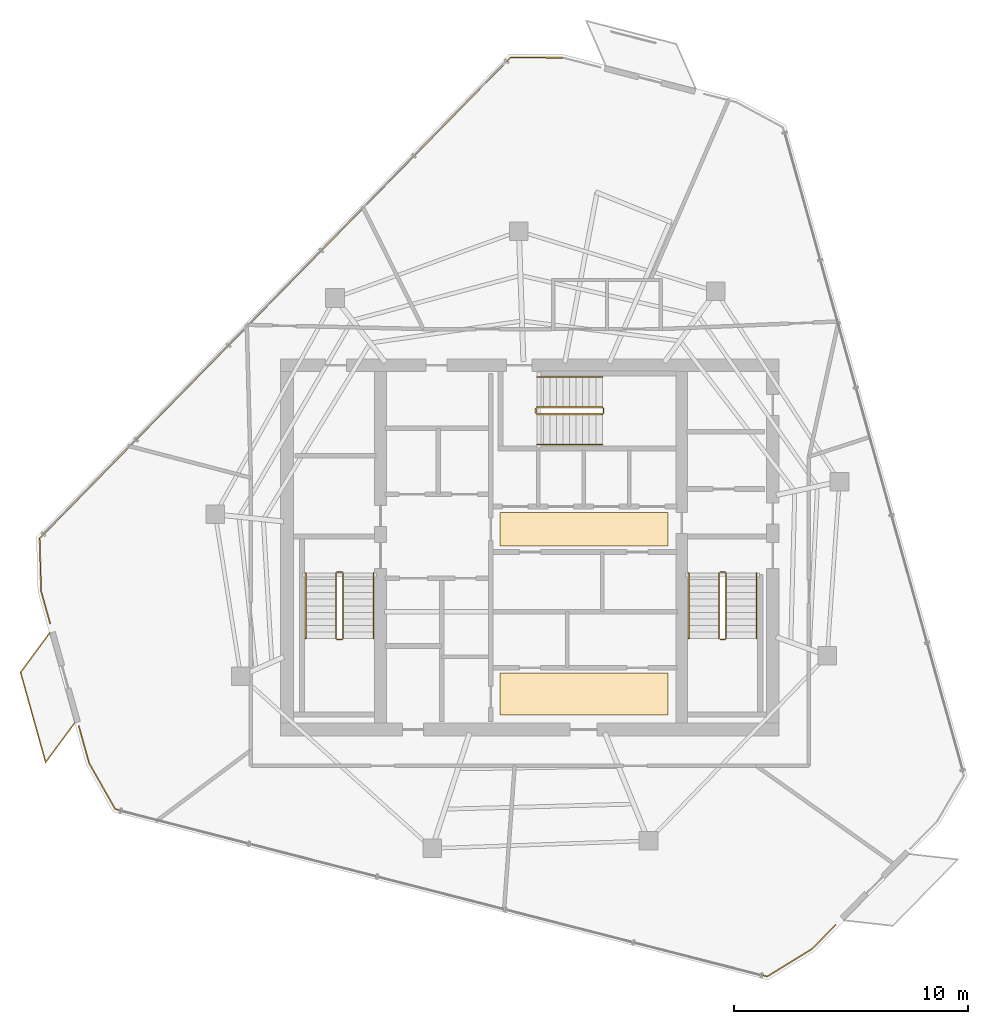
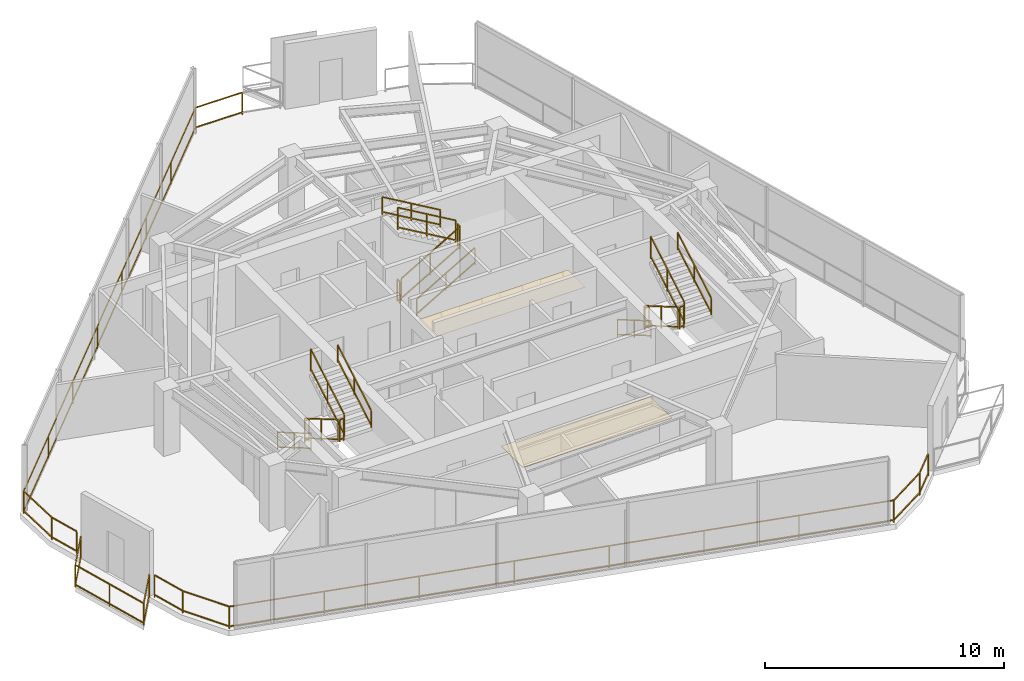
# One storey, part 17 of 18: 21 railings, 2 coverings.
"""IFC4 building model written with IfcOpenShell, lengths in metres."""

from ifc_helpers import new_model, si_unit, direction, frame, origin, origin_2d, place, context, subcontext, project, spatial, rectangle, extrude, material, layer, layer_set, type_object, element, save


model = new_model("IFC4")

# Units and contexts
model_context = context("Model", 3, precision=1e-05, world=origin(), true_north=direction((0.0, 1.0)))
body_context = subcontext(model_context, "Body", "Model", "MODEL_VIEW")
ifc_project = project(units=[si_unit("LENGTHUNIT", "METRE"), si_unit("AREAUNIT", "SQUARE_METRE"), si_unit("VOLUMEUNIT", "CUBIC_METRE"), si_unit("PLANEANGLEUNIT", "RADIAN"), si_unit("MASSUNIT", "GRAM", prefix="KILO")], contexts=[model_context])

# Site, building, storey
site_placement = place(None, origin())
site = spatial("IfcSite", under=ifc_project, at=site_placement, CompositionType="ELEMENT")
building_placement = place(site_placement, origin())
building = spatial("IfcBuilding", under=site, at=building_placement, Name="Qarnah Convention Tower", CompositionType="ELEMENT")
storey_placement = place(building_placement, frame((0.0, 0.0, 239.10009765625)))
storey = spatial("IfcBuildingStorey", under=building, at=storey_placement, Name="L64", CompositionType="ELEMENT", Elevation=239.10009765625)

# Coverings
ifc_material_1 = material(Name="Mineral fibre acoustic ceiling")
ifc_layer_1 = layer(ifc_material_1, 0.02001953125)
ifc_layer_set_1 = layer_set([ifc_layer_1], Name="Mineral fibre acoustic ceiling")
covering_type_1 = type_object("IfcCoveringType", Name="COV-CEIL-20", PredefinedType="CEILING", material=ifc_layer_set_1)
covering_1_placement = place(storey_placement, frame((39.52001953125, 27.179931640625, 2.289794921875), z_axis=(0.0, 0.0, 1.0), x_axis=(1.0, 0.0, 0.0)))
element("IfcCovering", 1, at=covering_1_placement, inside=storey, type_object=covering_type_1, Name="L64 lift lobby acoustic ceiling", PredefinedType="CEILING", context=body_context, shape_type="SweptSolid", body=[
    extrude(rectangle(XDim=7.199951171875, YDim=1.449951171875, at=origin_2d()), origin(), (0.0, 0.0, 1.0), 0.02001953125),
])
ifc_material_2 = material(Name="Porcelain stone floor tile", Category="masonry")
ifc_layer_2 = layer(ifc_material_2, 0.02001953125)
ifc_layer_set_2 = layer_set([ifc_layer_2], Name="Porcelain stone floor tile")
covering_type_2 = type_object("IfcCoveringType", Name="COV-FLOOR-20", PredefinedType="FLOORING", material=ifc_layer_set_2)
covering_2_placement = place(storey_placement, frame((39.52001953125, 20.1201171875, 0.0), z_axis=(0.0, 0.0, 1.0), x_axis=(1.0, 0.0, 0.0)))
element("IfcCovering", 2, at=covering_2_placement, inside=storey, type_object=covering_type_2, Name="L64 lift lobby porcelain stone flooring", PredefinedType="FLOORING", context=body_context, shape_type="SweptSolid", body=[
    extrude(rectangle(XDim=7.199951171875, YDim=1.800048828125, at=origin_2d()), origin(), (0.0, 0.0, 1.0), 0.02001953125),
])

# Railings
ifc_material_3 = material(Name="Black anodised aluminium", Category="aluminium")
railing_type_1 = type_object("IfcRailingType", Name="RL-EXT-GUARD-1150", PredefinedType="GUARDRAIL", material=ifc_material_3)
railing_1_placement = place(storey_placement, frame((50.29296875, 10.240966796875, 0.0)))
element("IfcRailing", 3, at=railing_1_placement, inside=storey, type_object=railing_type_1, Name="L64 slab-edge perimeter safety guard 03", PredefinedType="GUARDRAIL", context=body_context, shape_type="SweptSolid", body=[
    extrude(rectangle(XDim=0.048095703125, YDim=0.048095703125, at=origin_2d()), frame((0.0, 0.0, 1.1259765625), z_axis=(-0.69945017382, -0.714681365605, 0.0), x_axis=(0.714681365605, -0.69945017382, 0.0)), (0.0, 0.0, 1.0), 1.442626953125),
    extrude(rectangle(XDim=0.048095703125, YDim=0.048095703125, at=origin_2d()), frame((0.0, 0.0, 0.1201171875), z_axis=(-0.69945017382, -0.714681365605, 0.0), x_axis=(0.714681365605, -0.69945017382, 0.0)), (0.0, 0.0, 1.0), 1.442626953125),
    extrude(rectangle(XDim=0.048095703125, YDim=0.048095703125, at=origin_2d()), frame((-1.009033203125, -1.031005859375, 1.1259765625), z_axis=(-0.851624884706, -0.524151748781, 0.0), x_axis=(0.524151748781, -0.851624884706, 0.0)), (0.0, 0.0, 1.0), 2.2568359375),
    extrude(rectangle(XDim=0.048095703125, YDim=0.048095703125, at=origin_2d()), frame((-1.009033203125, -1.031005859375, 0.1201171875), z_axis=(-0.851624884706, -0.524151748781, 0.0), x_axis=(0.524151748781, -0.851624884706, 0.0)), (0.0, 0.0, 1.0), 2.2568359375),
    extrude(rectangle(XDim=0.048095703125, YDim=0.048095703125, at=origin_2d()), frame((-2.930908203125, -2.2138671875, 1.1259765625), z_axis=(-0.968576230651, 0.248716878033, 0.0), x_axis=(-0.248716878033, -0.968576230651, 0.0)), (0.0, 0.0, 1.0), 28.82373046875),
    extrude(rectangle(XDim=0.048095703125, YDim=0.048095703125, at=origin_2d()), frame((-2.930908203125, -2.2138671875, 0.1201171875), z_axis=(-0.968576230651, 0.248716878033, 0.0), x_axis=(-0.248716878033, -0.968576230651, 0.0)), (0.0, 0.0, 1.0), 28.82373046875),
    extrude(rectangle(XDim=0.048095703125, YDim=0.048095703125, at=origin_2d()), frame((-30.848876953125, 4.955078125, 1.1259765625), z_axis=(-0.494098625985, 0.869405859079, 0.0), x_axis=(-0.869405859079, -0.494098625985, 0.0)), (0.0, 0.0, 1.0), 2.256591796875),
    extrude(rectangle(XDim=0.048095703125, YDim=0.048095703125, at=origin_2d()), frame((-30.848876953125, 4.955078125, 0.1201171875), z_axis=(-0.494098625985, 0.869405859079, 0.0), x_axis=(-0.869405859079, -0.494098625985, 0.0)), (0.0, 0.0, 1.0), 2.256591796875),
    extrude(rectangle(XDim=0.048095703125, YDim=0.048095703125, at=origin_2d()), frame((-31.9638671875, 6.9169921875, 1.1259765625), z_axis=(-0.268687422621, 0.963227423263, 0.0), x_axis=(-0.963227423263, -0.268687422621, 0.0)), (0.0, 0.0, 1.0), 1.65283203125),
    extrude(rectangle(XDim=0.048095703125, YDim=0.048095703125, at=origin_2d()), frame((-31.9638671875, 6.9169921875, 0.1201171875), z_axis=(-0.268687422621, 0.963227423263, 0.0), x_axis=(-0.963227423263, -0.268687422621, 0.0)), (0.0, 0.0, 1.0), 1.65283203125),
    extrude(rectangle(XDim=0.0419921875, YDim=0.0419921875, at=origin_2d()), origin(), (0.0, 0.0, 1.0), 1.101806640625),
    extrude(rectangle(XDim=0.0419921875, YDim=0.0419921875, at=origin_2d()), frame((-1.009033203125, -1.031005859375, 0.0)), (0.0, 0.0, 1.0), 1.101806640625),
    extrude(rectangle(XDim=0.0419921875, YDim=0.0419921875, at=origin_2d()), frame((-2.930908203125, -2.2138671875, 0.0)), (0.0, 0.0, 1.0), 1.101806640625),
    extrude(rectangle(XDim=0.0419921875, YDim=0.0419921875, at=origin_2d()), frame((-6.919189453125, -1.189697265625, 0.0)), (0.0, 0.0, 1.0), 1.101806640625),
    extrude(rectangle(XDim=0.0419921875, YDim=0.0419921875, at=origin_2d()), frame((-10.907470703125, -0.16552734375, 0.0)), (0.0, 0.0, 1.0), 1.101806640625),
    extrude(rectangle(XDim=0.0419921875, YDim=0.0419921875, at=origin_2d()), frame((-14.895751953125, 0.858642578125, 0.0)), (0.0, 0.0, 1.0), 1.101806640625),
    extrude(rectangle(XDim=0.0419921875, YDim=0.0419921875, at=origin_2d()), frame((-18.884033203125, 1.882568359375, 0.0)), (0.0, 0.0, 1.0), 1.101806640625),
    extrude(rectangle(XDim=0.0419921875, YDim=0.0419921875, at=origin_2d()), frame((-22.872314453125, 2.90673828125, 0.0)), (0.0, 0.0, 1.0), 1.101806640625),
    extrude(rectangle(XDim=0.0419921875, YDim=0.0419921875, at=origin_2d()), frame((-26.860595703125, 3.930908203125, 0.0)), (0.0, 0.0, 1.0), 1.101806640625),
    extrude(rectangle(XDim=0.0419921875, YDim=0.0419921875, at=origin_2d()), frame((-30.848876953125, 4.955078125, 0.0)), (0.0, 0.0, 1.0), 1.101806640625),
    extrude(rectangle(XDim=0.0419921875, YDim=0.0419921875, at=origin_2d()), frame((-31.9638671875, 6.9169921875, 0.0)), (0.0, 0.0, 1.0), 1.101806640625),
    extrude(rectangle(XDim=0.0419921875, YDim=0.0419921875, at=origin_2d()), frame((-32.407958984375, 8.509033203125, 0.0)), (0.0, 0.0, 1.0), 1.101806640625),
])
railing_2_placement = place(storey_placement, frame((16.658935546875, 23.14111328125, 0.0)))
element("IfcRailing", 4, at=railing_2_placement, inside=storey, type_object=railing_type_1, Name="L64 slab-edge perimeter safety guard 04", PredefinedType="GUARDRAIL", context=body_context, shape_type="SweptSolid", body=[
    extrude(rectangle(XDim=0.048095703125, YDim=0.048095703125, at=origin_2d()), frame((0.0, 0.0, 1.1259765625), z_axis=(-0.269190038638, 0.963087079707, 0.0), x_axis=(-0.963087079707, -0.269190038638, 0.0)), (0.0, 0.0, 1.0), 1.441162109375),
    extrude(rectangle(XDim=0.048095703125, YDim=0.048095703125, at=origin_2d()), frame((0.0, 0.0, 0.1201171875), z_axis=(-0.269190038638, 0.963087079707, 0.0), x_axis=(-0.963087079707, -0.269190038638, 0.0)), (0.0, 0.0, 1.0), 1.441162109375),
    extrude(rectangle(XDim=0.048095703125, YDim=0.048095703125, at=origin_2d()), frame((-0.387939453125, 1.387939453125, 1.1259765625), z_axis=(-0.027899131525, 0.99961074347, 0.0), x_axis=(-0.99961074347, -0.027899131525, 0.0)), (0.0, 0.0, 1.0), 2.2578125),
    extrude(rectangle(XDim=0.048095703125, YDim=0.048095703125, at=origin_2d()), frame((-0.387939453125, 1.387939453125, 0.1201171875), z_axis=(-0.027899131525, 0.99961074347, 0.0), x_axis=(-0.99961074347, -0.027899131525, 0.0)), (0.0, 0.0, 1.0), 2.2578125),
    extrude(rectangle(XDim=0.048095703125, YDim=0.048095703125, at=origin_2d()), frame((-0.450927734375, 3.644775390625, 1.1259765625), z_axis=(0.699643621008, 0.714491989866, 0.0), x_axis=(-0.714491989866, 0.699643621008, 0.0)), (0.0, 0.0, 1.0), 28.8232421875),
    extrude(rectangle(XDim=0.048095703125, YDim=0.048095703125, at=origin_2d()), frame((-0.450927734375, 3.644775390625, 0.1201171875), z_axis=(0.699643621008, 0.714491989866, 0.0), x_axis=(-0.714491989866, 0.699643621008, 0.0)), (0.0, 0.0, 1.0), 28.8232421875),
    extrude(rectangle(XDim=0.048095703125, YDim=0.048095703125, at=origin_2d()), frame((19.715087890625, 24.23876953125, 1.1259765625), z_axis=(0.999972173377, -0.007460058381, 0.0), x_axis=(0.007460058381, 0.999972173377, 0.0)), (0.0, 0.0, 1.0), 2.258056640625),
    extrude(rectangle(XDim=0.048095703125, YDim=0.048095703125, at=origin_2d()), frame((19.715087890625, 24.23876953125, 0.1201171875), z_axis=(0.999972173377, -0.007460058381, 0.0), x_axis=(0.007460058381, 0.999972173377, 0.0)), (0.0, 0.0, 1.0), 2.258056640625),
    extrude(rectangle(XDim=0.0419921875, YDim=0.0419921875, at=origin_2d()), origin(), (0.0, 0.0, 1.0), 1.101806640625),
    extrude(rectangle(XDim=0.0419921875, YDim=0.0419921875, at=origin_2d()), frame((-0.387939453125, 1.387939453125, 0.0)), (0.0, 0.0, 1.0), 1.101806640625),
    extrude(rectangle(XDim=0.0419921875, YDim=0.0419921875, at=origin_2d()), frame((-0.450927734375, 3.644775390625, 0.0)), (0.0, 0.0, 1.0), 1.101806640625),
    extrude(rectangle(XDim=0.0419921875, YDim=0.0419921875, at=origin_2d()), frame((2.429931640625, 6.586669921875, 0.0)), (0.0, 0.0, 1.0), 1.101806640625),
    extrude(rectangle(XDim=0.0419921875, YDim=0.0419921875, at=origin_2d()), frame((5.310791015625, 9.52880859375, 0.0)), (0.0, 0.0, 1.0), 1.101806640625),
    extrude(rectangle(XDim=0.0419921875, YDim=0.0419921875, at=origin_2d()), frame((8.191650390625, 12.470703125, 0.0)), (0.0, 0.0, 1.0), 1.101806640625),
    extrude(rectangle(XDim=0.0419921875, YDim=0.0419921875, at=origin_2d()), frame((11.072509765625, 15.412841796875, 0.0)), (0.0, 0.0, 1.0), 1.101806640625),
    extrude(rectangle(XDim=0.0419921875, YDim=0.0419921875, at=origin_2d()), frame((13.953369140625, 18.354736328125, 0.0)), (0.0, 0.0, 1.0), 1.101806640625),
    extrude(rectangle(XDim=0.0419921875, YDim=0.0419921875, at=origin_2d()), frame((16.834228515625, 21.296875, 0.0)), (0.0, 0.0, 1.0), 1.101806640625),
    extrude(rectangle(XDim=0.0419921875, YDim=0.0419921875, at=origin_2d()), frame((19.715087890625, 24.23876953125, 0.0)), (0.0, 0.0, 1.0), 1.101806640625),
    extrude(rectangle(XDim=0.0419921875, YDim=0.0419921875, at=origin_2d()), frame((21.97314453125, 24.221923828125, 0.0)), (0.0, 0.0, 1.0), 1.101806640625),
])
railing_3_placement = place(storey_placement, frame((17.7080078125, 18.881103515625, 0.0)))
element("IfcRailing", 5, at=railing_3_placement, inside=storey, type_object=railing_type_1, Name="L64 balcony safety guard BAL-L64-C2", PredefinedType="GUARDRAIL", context=body_context, shape_type="SweptSolid", body=[
    extrude(rectangle(XDim=0.048095703125, YDim=0.048095703125, at=origin_2d()), frame((0.0, 0.0, 1.1259765625), z_axis=(-0.593600672744, -0.804759741363, 0.0), x_axis=(0.804759741363, -0.593600672744, 0.0)), (0.0, 0.0, 1.0), 2.09375),
    extrude(rectangle(XDim=0.048095703125, YDim=0.048095703125, at=origin_2d()), frame((0.0, 0.0, 0.1201171875), z_axis=(-0.593600672744, -0.804759741363, 0.0), x_axis=(0.804759741363, -0.593600672744, 0.0)), (0.0, 0.0, 1.0), 2.09375),
    extrude(rectangle(XDim=0.048095703125, YDim=0.048095703125, at=origin_2d()), frame((-1.242919921875, -1.68505859375, 1.1259765625), z_axis=(-0.268846383011, 0.963183067927, 0.0), x_axis=(-0.963183067927, -0.268846383011, 0.0)), (0.0, 0.0, 1.0), 3.999267578125),
    extrude(rectangle(XDim=0.048095703125, YDim=0.048095703125, at=origin_2d()), frame((-1.242919921875, -1.68505859375, 0.1201171875), z_axis=(-0.268846383011, 0.963183067927, 0.0), x_axis=(-0.963183067927, -0.268846383011, 0.0)), (0.0, 0.0, 1.0), 3.999267578125),
    extrude(rectangle(XDim=0.048095703125, YDim=0.048095703125, at=origin_2d()), frame((-2.318115234375, 2.1669921875, 1.1259765625), z_axis=(0.593206992057, 0.805049976445, 0.0), x_axis=(-0.805049976445, 0.593206992057, 0.0)), (0.0, 0.0, 1.0), 2.093994140625),
    extrude(rectangle(XDim=0.048095703125, YDim=0.048095703125, at=origin_2d()), frame((-2.318115234375, 2.1669921875, 0.1201171875), z_axis=(0.593206992057, 0.805049976445, 0.0), x_axis=(-0.805049976445, 0.593206992057, 0.0)), (0.0, 0.0, 1.0), 2.093994140625),
    extrude(rectangle(XDim=0.0419921875, YDim=0.0419921875, at=origin_2d()), origin(), (0.0, 0.0, 1.0), 1.101806640625),
    extrude(rectangle(XDim=0.0419921875, YDim=0.0419921875, at=origin_2d()), frame((-1.242919921875, -1.68505859375, 0.0)), (0.0, 0.0, 1.0), 1.101806640625),
    extrude(rectangle(XDim=0.0419921875, YDim=0.0419921875, at=origin_2d()), frame((-1.780517578125, 0.240966796875, 0.0)), (0.0, 0.0, 1.0), 1.101806640625),
    extrude(rectangle(XDim=0.0419921875, YDim=0.0419921875, at=origin_2d()), frame((-2.318115234375, 2.1669921875, 0.0)), (0.0, 0.0, 1.0), 1.101806640625),
    extrude(rectangle(XDim=0.0419921875, YDim=0.0419921875, at=origin_2d()), frame((-1.075927734375, 3.852783203125, 0.0)), (0.0, 0.0, 1.0), 1.101806640625),
])
ifc_material_4 = material(Name="Structural steel S355JR", Category="steel")
railing_type_2 = type_object("IfcRailingType", Name="RL-STAIR-GUARD-1150", PredefinedType="GUARDRAIL", material=ifc_material_4)
railing_4_placement = place(storey_placement, frame((28.89990234375, 25.300048828125, 0.16357421875)))
element("IfcRailing", 6, at=railing_4_placement, inside=storey, type_object=railing_type_2, Name="L64 ST-1 stair guard 1", PredefinedType="GUARDRAIL", context=body_context, shape_type="SweptSolid", body=[
    extrude(rectangle(XDim=0.048095703125, YDim=0.048095703125, at=origin_2d()), frame((0.0, 0.0, 1.1259765625), z_axis=(0.0, -0.863393664356, 0.504530851732), x_axis=(1.0, 0.0, 0.0)), (0.0, 0.0, 1.0), 3.2431640625),
    extrude(rectangle(XDim=0.048095703125, YDim=0.048095703125, at=origin_2d()), frame((0.0, 0.0, 0.1201171875), z_axis=(0.0, -0.863393664356, 0.504530851732), x_axis=(1.0, 0.0, 0.0)), (0.0, 0.0, 1.0), 3.2431640625),
    extrude(rectangle(XDim=0.0419921875, YDim=0.0419921875, at=origin_2d()), origin(), (0.0, 0.0, 1.0), 1.101806640625),
    extrude(rectangle(XDim=0.0419921875, YDim=0.0419921875, at=origin_2d()), frame((0.0, -1.39990234375, 0.818115234375)), (0.0, 0.0, 1.0), 1.101806640625),
    extrude(rectangle(XDim=0.0419921875, YDim=0.0419921875, at=origin_2d()), frame((0.0, -2.800048828125, 1.63623046875)), (0.0, 0.0, 1.0), 1.101806640625),
])
railing_5_placement = place(storey_placement, frame((28.949951171875, 22.449951171875, 1.7998046875)))
element("IfcRailing", 7, at=railing_5_placement, inside=storey, type_object=railing_type_2, Name="L64 ST-1 stair guard 2", PredefinedType="GUARDRAIL", context=body_context, shape_type="SweptSolid", body=[
    extrude(rectangle(XDim=0.048095703125, YDim=0.048095703125, at=origin_2d()), frame((0.0, 0.0, 1.1259765625), z_axis=(1.0, 0.0, 0.0), x_axis=(0.0, 1.0, 0.0)), (0.0, 0.0, 1.0), 0.199951171875),
    extrude(rectangle(XDim=0.048095703125, YDim=0.048095703125, at=origin_2d()), frame((0.0, 0.0, 0.1201171875), z_axis=(1.0, 0.0, 0.0), x_axis=(0.0, 1.0, 0.0)), (0.0, 0.0, 1.0), 0.199951171875),
    extrude(rectangle(XDim=0.0419921875, YDim=0.0419921875, at=origin_2d()), origin(), (0.0, 0.0, 1.0), 1.101806640625),
    extrude(rectangle(XDim=0.0419921875, YDim=0.0419921875, at=origin_2d()), frame((0.199951171875, 0.0, 0.0)), (0.0, 0.0, 1.0), 1.101806640625),
])
railing_6_placement = place(storey_placement, frame((29.199951171875, 22.5, 1.963623046875)))
element("IfcRailing", 8, at=railing_6_placement, inside=storey, type_object=railing_type_2, Name="L64 ST-1 stair guard 3", PredefinedType="GUARDRAIL", context=body_context, shape_type="SweptSolid", body=[
    extrude(rectangle(XDim=0.048095703125, YDim=0.048095703125, at=origin_2d()), frame((0.0, 0.0, 1.1259765625), z_axis=(0.0, 0.863393664356, 0.504530851732), x_axis=(-1.0, 0.0, 0.0)), (0.0, 0.0, 1.0), 3.2431640625),
    extrude(rectangle(XDim=0.048095703125, YDim=0.048095703125, at=origin_2d()), frame((0.0, 0.0, 0.1201171875), z_axis=(0.0, 0.863393664356, 0.504530851732), x_axis=(-1.0, 0.0, 0.0)), (0.0, 0.0, 1.0), 3.2431640625),
    extrude(rectangle(XDim=0.0419921875, YDim=0.0419921875, at=origin_2d()), origin(), (0.0, 0.0, 1.0), 1.101806640625),
    extrude(rectangle(XDim=0.0419921875, YDim=0.0419921875, at=origin_2d()), frame((0.0, 1.39990234375, 0.818115234375)), (0.0, 0.0, 1.0), 1.101806640625),
    extrude(rectangle(XDim=0.0419921875, YDim=0.0419921875, at=origin_2d()), frame((0.0, 2.800048828125, 1.63623046875)), (0.0, 0.0, 1.0), 1.101806640625),
])
railing_7_placement = place(storey_placement, frame((28.949951171875, 25.35009765625, 0.0)))
element("IfcRailing", 9, at=railing_7_placement, inside=storey, type_object=railing_type_2, Name="L64 ST-1 stair guard 4", PredefinedType="GUARDRAIL", context=body_context, shape_type="SweptSolid", body=[
    extrude(rectangle(XDim=0.048095703125, YDim=0.048095703125, at=origin_2d()), frame((0.0, 0.0, 1.1259765625), z_axis=(1.0, 0.0, 0.0), x_axis=(0.0, 1.0, 0.0)), (0.0, 0.0, 1.0), 0.199951171875),
    extrude(rectangle(XDim=0.048095703125, YDim=0.048095703125, at=origin_2d()), frame((0.0, 0.0, 0.1201171875), z_axis=(1.0, 0.0, 0.0), x_axis=(0.0, 1.0, 0.0)), (0.0, 0.0, 1.0), 0.199951171875),
    extrude(rectangle(XDim=0.0419921875, YDim=0.0419921875, at=origin_2d()), origin(), (0.0, 0.0, 1.0), 1.101806640625),
    extrude(rectangle(XDim=0.0419921875, YDim=0.0419921875, at=origin_2d()), frame((0.199951171875, 0.0, 0.0)), (0.0, 0.0, 1.0), 1.101806640625),
])
railing_8_placement = place(storey_placement, frame((45.300048828125, 25.300048828125, 0.16357421875)))
element("IfcRailing", 10, at=railing_8_placement, inside=storey, type_object=railing_type_2, Name="L64 ST-2 stair guard 1", PredefinedType="GUARDRAIL", context=body_context, shape_type="SweptSolid", body=[
    extrude(rectangle(XDim=0.048095703125, YDim=0.048095703125, at=origin_2d()), frame((0.0, 0.0, 1.1259765625), z_axis=(0.0, -0.863393664356, 0.504530851732), x_axis=(1.0, 0.0, 0.0)), (0.0, 0.0, 1.0), 3.2431640625),
    extrude(rectangle(XDim=0.048095703125, YDim=0.048095703125, at=origin_2d()), frame((0.0, 0.0, 0.1201171875), z_axis=(0.0, -0.863393664356, 0.504530851732), x_axis=(1.0, 0.0, 0.0)), (0.0, 0.0, 1.0), 3.2431640625),
    extrude(rectangle(XDim=0.0419921875, YDim=0.0419921875, at=origin_2d()), origin(), (0.0, 0.0, 1.0), 1.101806640625),
    extrude(rectangle(XDim=0.0419921875, YDim=0.0419921875, at=origin_2d()), frame((0.0, -1.39990234375, 0.818115234375)), (0.0, 0.0, 1.0), 1.101806640625),
    extrude(rectangle(XDim=0.0419921875, YDim=0.0419921875, at=origin_2d()), frame((0.0, -2.800048828125, 1.63623046875)), (0.0, 0.0, 1.0), 1.101806640625),
])
railing_9_placement = place(storey_placement, frame((45.35009765625, 22.449951171875, 1.7998046875)))
element("IfcRailing", 11, at=railing_9_placement, inside=storey, type_object=railing_type_2, Name="L64 ST-2 stair guard 2", PredefinedType="GUARDRAIL", context=body_context, shape_type="SweptSolid", body=[
    extrude(rectangle(XDim=0.048095703125, YDim=0.048095703125, at=origin_2d()), frame((0.0, 0.0, 1.1259765625), z_axis=(1.0, 0.0, 0.0), x_axis=(0.0, 1.0, 0.0)), (0.0, 0.0, 1.0), 0.199951171875),
    extrude(rectangle(XDim=0.048095703125, YDim=0.048095703125, at=origin_2d()), frame((0.0, 0.0, 0.1201171875), z_axis=(1.0, 0.0, 0.0), x_axis=(0.0, 1.0, 0.0)), (0.0, 0.0, 1.0), 0.199951171875),
    extrude(rectangle(XDim=0.0419921875, YDim=0.0419921875, at=origin_2d()), origin(), (0.0, 0.0, 1.0), 1.101806640625),
    extrude(rectangle(XDim=0.0419921875, YDim=0.0419921875, at=origin_2d()), frame((0.199951171875, 0.0, 0.0)), (0.0, 0.0, 1.0), 1.101806640625),
])
railing_10_placement = place(storey_placement, frame((45.60009765625, 22.5, 1.963623046875)))
element("IfcRailing", 12, at=railing_10_placement, inside=storey, type_object=railing_type_2, Name="L64 ST-2 stair guard 3", PredefinedType="GUARDRAIL", context=body_context, shape_type="SweptSolid", body=[
    extrude(rectangle(XDim=0.048095703125, YDim=0.048095703125, at=origin_2d()), frame((0.0, 0.0, 1.1259765625), z_axis=(0.0, 0.863393664356, 0.504530851732), x_axis=(-1.0, 0.0, 0.0)), (0.0, 0.0, 1.0), 3.2431640625),
    extrude(rectangle(XDim=0.048095703125, YDim=0.048095703125, at=origin_2d()), frame((0.0, 0.0, 0.1201171875), z_axis=(0.0, 0.863393664356, 0.504530851732), x_axis=(-1.0, 0.0, 0.0)), (0.0, 0.0, 1.0), 3.2431640625),
    extrude(rectangle(XDim=0.0419921875, YDim=0.0419921875, at=origin_2d()), origin(), (0.0, 0.0, 1.0), 1.101806640625),
    extrude(rectangle(XDim=0.0419921875, YDim=0.0419921875, at=origin_2d()), frame((0.0, 1.39990234375, 0.818115234375)), (0.0, 0.0, 1.0), 1.101806640625),
    extrude(rectangle(XDim=0.0419921875, YDim=0.0419921875, at=origin_2d()), frame((0.0, 2.800048828125, 1.63623046875)), (0.0, 0.0, 1.0), 1.101806640625),
])
railing_11_placement = place(storey_placement, frame((45.35009765625, 25.35009765625, 0.0)))
element("IfcRailing", 13, at=railing_11_placement, inside=storey, type_object=railing_type_2, Name="L64 ST-2 stair guard 4", PredefinedType="GUARDRAIL", context=body_context, shape_type="SweptSolid", body=[
    extrude(rectangle(XDim=0.048095703125, YDim=0.048095703125, at=origin_2d()), frame((0.0, 0.0, 1.1259765625), z_axis=(1.0, 0.0, 0.0), x_axis=(0.0, 1.0, 0.0)), (0.0, 0.0, 1.0), 0.199951171875),
    extrude(rectangle(XDim=0.048095703125, YDim=0.048095703125, at=origin_2d()), frame((0.0, 0.0, 0.1201171875), z_axis=(1.0, 0.0, 0.0), x_axis=(0.0, 1.0, 0.0)), (0.0, 0.0, 1.0), 0.199951171875),
    extrude(rectangle(XDim=0.0419921875, YDim=0.0419921875, at=origin_2d()), origin(), (0.0, 0.0, 1.0), 1.101806640625),
    extrude(rectangle(XDim=0.0419921875, YDim=0.0419921875, at=origin_2d()), frame((0.199951171875, 0.0, 0.0)), (0.0, 0.0, 1.0), 1.101806640625),
])
railing_12_placement = place(storey_placement, frame((37.5, 32.10009765625, 0.16357421875)))
element("IfcRailing", 14, at=railing_12_placement, inside=storey, type_object=railing_type_2, Name="L64 ST-3 stair guard 1", PredefinedType="GUARDRAIL", context=body_context, shape_type="SweptSolid", body=[
    extrude(rectangle(XDim=0.048095703125, YDim=0.048095703125, at=origin_2d()), frame((0.0, 0.0, 1.1259765625), z_axis=(0.863393664356, 0.0, 0.504530851732), x_axis=(0.0, 1.0, 0.0)), (0.0, 0.0, 1.0), 3.2431640625),
    extrude(rectangle(XDim=0.048095703125, YDim=0.048095703125, at=origin_2d()), frame((0.0, 0.0, 0.1201171875), z_axis=(0.863393664356, 0.0, 0.504530851732), x_axis=(0.0, 1.0, 0.0)), (0.0, 0.0, 1.0), 3.2431640625),
    extrude(rectangle(XDim=0.0419921875, YDim=0.0419921875, at=origin_2d()), origin(), (0.0, 0.0, 1.0), 1.101806640625),
    extrude(rectangle(XDim=0.0419921875, YDim=0.0419921875, at=origin_2d()), frame((1.39990234375, 0.0, 0.818115234375)), (0.0, 0.0, 1.0), 1.101806640625),
    extrude(rectangle(XDim=0.0419921875, YDim=0.0419921875, at=origin_2d()), frame((2.800048828125, 0.0, 1.63623046875)), (0.0, 0.0, 1.0), 1.101806640625),
])
railing_13_placement = place(storey_placement, frame((40.35009765625, 32.14990234375, 1.7998046875)))
element("IfcRailing", 15, at=railing_13_placement, inside=storey, type_object=railing_type_2, Name="L64 ST-3 stair guard 2", PredefinedType="GUARDRAIL", context=body_context, shape_type="SweptSolid", body=[
    extrude(rectangle(XDim=0.048095703125, YDim=0.048095703125, at=origin_2d()), frame((0.0, 0.0, 1.1259765625), z_axis=(0.0, 1.0, 0.0), x_axis=(-1.0, 0.0, 0.0)), (0.0, 0.0, 1.0), 0.2001953125),
    extrude(rectangle(XDim=0.048095703125, YDim=0.048095703125, at=origin_2d()), frame((0.0, 0.0, 0.1201171875), z_axis=(0.0, 1.0, 0.0), x_axis=(-1.0, 0.0, 0.0)), (0.0, 0.0, 1.0), 0.2001953125),
    extrude(rectangle(XDim=0.0419921875, YDim=0.0419921875, at=origin_2d()), origin(), (0.0, 0.0, 1.0), 1.101806640625),
    extrude(rectangle(XDim=0.0419921875, YDim=0.0419921875, at=origin_2d()), frame((0.0, 0.2001953125, 0.0)), (0.0, 0.0, 1.0), 1.101806640625),
])
railing_14_placement = place(storey_placement, frame((40.300048828125, 32.39990234375, 1.963623046875)))
element("IfcRailing", 16, at=railing_14_placement, inside=storey, type_object=railing_type_2, Name="L64 ST-3 stair guard 3", PredefinedType="GUARDRAIL", context=body_context, shape_type="SweptSolid", body=[
    extrude(rectangle(XDim=0.048095703125, YDim=0.048095703125, at=origin_2d()), frame((0.0, 0.0, 1.1259765625), z_axis=(-0.863393664356, 0.0, 0.504530851732), x_axis=(0.0, -1.0, 0.0)), (0.0, 0.0, 1.0), 3.2431640625),
    extrude(rectangle(XDim=0.048095703125, YDim=0.048095703125, at=origin_2d()), frame((0.0, 0.0, 0.1201171875), z_axis=(-0.863393664356, 0.0, 0.504530851732), x_axis=(0.0, -1.0, 0.0)), (0.0, 0.0, 1.0), 3.2431640625),
    extrude(rectangle(XDim=0.0419921875, YDim=0.0419921875, at=origin_2d()), origin(), (0.0, 0.0, 1.0), 1.101806640625),
    extrude(rectangle(XDim=0.0419921875, YDim=0.0419921875, at=origin_2d()), frame((-1.39990234375, 0.0, 0.818115234375)), (0.0, 0.0, 1.0), 1.101806640625),
    extrude(rectangle(XDim=0.0419921875, YDim=0.0419921875, at=origin_2d()), frame((-2.800048828125, 0.0, 1.63623046875)), (0.0, 0.0, 1.0), 1.101806640625),
])
railing_15_placement = place(storey_placement, frame((37.449951171875, 32.14990234375, 0.0)))
element("IfcRailing", 17, at=railing_15_placement, inside=storey, type_object=railing_type_2, Name="L64 ST-3 stair guard 4", PredefinedType="GUARDRAIL", context=body_context, shape_type="SweptSolid", body=[
    extrude(rectangle(XDim=0.048095703125, YDim=0.048095703125, at=origin_2d()), frame((0.0, 0.0, 1.1259765625), z_axis=(0.0, 1.0, 0.0), x_axis=(-1.0, 0.0, 0.0)), (0.0, 0.0, 1.0), 0.2001953125),
    extrude(rectangle(XDim=0.048095703125, YDim=0.048095703125, at=origin_2d()), frame((0.0, 0.0, 0.1201171875), z_axis=(0.0, 1.0, 0.0), x_axis=(-1.0, 0.0, 0.0)), (0.0, 0.0, 1.0), 0.2001953125),
    extrude(rectangle(XDim=0.0419921875, YDim=0.0419921875, at=origin_2d()), origin(), (0.0, 0.0, 1.0), 1.101806640625),
    extrude(rectangle(XDim=0.0419921875, YDim=0.0419921875, at=origin_2d()), frame((0.0, 0.2001953125, 0.0)), (0.0, 0.0, 1.0), 1.101806640625),
])
railing_type_3 = type_object("IfcRailingType", Name="RL-STAIR-HAND-900", PredefinedType="HANDRAIL", material=ifc_material_4)
railing_16_placement = place(storey_placement, frame((27.60009765625, 25.300048828125, 0.16357421875)))
element("IfcRailing", 18, at=railing_16_placement, inside=storey, type_object=railing_type_3, Name="L64 ST-1 stair handrail 1", PredefinedType="HANDRAIL", context=body_context, shape_type="SweptSolid", body=[
    extrude(rectangle(XDim=0.048095703125, YDim=0.048095703125, at=origin_2d()), frame((0.0, 0.0, 0.8759765625), z_axis=(0.0, -0.863393664356, 0.504530851732), x_axis=(1.0, 0.0, 0.0)), (0.0, 0.0, 1.0), 3.2431640625),
    extrude(rectangle(XDim=0.048095703125, YDim=0.048095703125, at=origin_2d()), frame((0.0, 0.0, 0.1201171875), z_axis=(0.0, -0.863393664356, 0.504530851732), x_axis=(1.0, 0.0, 0.0)), (0.0, 0.0, 1.0), 3.2431640625),
    extrude(rectangle(XDim=0.0419921875, YDim=0.0419921875, at=origin_2d()), origin(), (0.0, 0.0, 1.0), 0.851806640625),
    extrude(rectangle(XDim=0.0419921875, YDim=0.0419921875, at=origin_2d()), frame((0.0, -1.39990234375, 0.818115234375)), (0.0, 0.0, 1.0), 0.851806640625),
    extrude(rectangle(XDim=0.0419921875, YDim=0.0419921875, at=origin_2d()), frame((0.0, -2.800048828125, 1.63623046875)), (0.0, 0.0, 1.0), 0.851806640625),
])
railing_17_placement = place(storey_placement, frame((30.5, 22.5, 1.963623046875)))
element("IfcRailing", 19, at=railing_17_placement, inside=storey, type_object=railing_type_3, Name="L64 ST-1 stair handrail 2", PredefinedType="HANDRAIL", context=body_context, shape_type="SweptSolid", body=[
    extrude(rectangle(XDim=0.048095703125, YDim=0.048095703125, at=origin_2d()), frame((0.0, 0.0, 0.8759765625), z_axis=(0.0, 0.863393664356, 0.504530851732), x_axis=(-1.0, 0.0, 0.0)), (0.0, 0.0, 1.0), 3.2431640625),
    extrude(rectangle(XDim=0.048095703125, YDim=0.048095703125, at=origin_2d()), frame((0.0, 0.0, 0.1201171875), z_axis=(0.0, 0.863393664356, 0.504530851732), x_axis=(-1.0, 0.0, 0.0)), (0.0, 0.0, 1.0), 3.2431640625),
    extrude(rectangle(XDim=0.0419921875, YDim=0.0419921875, at=origin_2d()), origin(), (0.0, 0.0, 1.0), 0.851806640625),
    extrude(rectangle(XDim=0.0419921875, YDim=0.0419921875, at=origin_2d()), frame((0.0, 1.39990234375, 0.818115234375)), (0.0, 0.0, 1.0), 0.851806640625),
    extrude(rectangle(XDim=0.0419921875, YDim=0.0419921875, at=origin_2d()), frame((0.0, 2.800048828125, 1.63623046875)), (0.0, 0.0, 1.0), 0.851806640625),
])
railing_18_placement = place(storey_placement, frame((44.0, 25.300048828125, 0.16357421875)))
element("IfcRailing", 20, at=railing_18_placement, inside=storey, type_object=railing_type_3, Name="L64 ST-2 stair handrail 1", PredefinedType="HANDRAIL", context=body_context, shape_type="SweptSolid", body=[
    extrude(rectangle(XDim=0.048095703125, YDim=0.048095703125, at=origin_2d()), frame((0.0, 0.0, 0.8759765625), z_axis=(0.0, -0.863393664356, 0.504530851732), x_axis=(1.0, 0.0, 0.0)), (0.0, 0.0, 1.0), 3.2431640625),
    extrude(rectangle(XDim=0.048095703125, YDim=0.048095703125, at=origin_2d()), frame((0.0, 0.0, 0.1201171875), z_axis=(0.0, -0.863393664356, 0.504530851732), x_axis=(1.0, 0.0, 0.0)), (0.0, 0.0, 1.0), 3.2431640625),
    extrude(rectangle(XDim=0.0419921875, YDim=0.0419921875, at=origin_2d()), origin(), (0.0, 0.0, 1.0), 0.851806640625),
    extrude(rectangle(XDim=0.0419921875, YDim=0.0419921875, at=origin_2d()), frame((0.0, -1.39990234375, 0.818115234375)), (0.0, 0.0, 1.0), 0.851806640625),
    extrude(rectangle(XDim=0.0419921875, YDim=0.0419921875, at=origin_2d()), frame((0.0, -2.800048828125, 1.63623046875)), (0.0, 0.0, 1.0), 0.851806640625),
])
railing_19_placement = place(storey_placement, frame((46.89990234375, 22.5, 1.963623046875)))
element("IfcRailing", 21, at=railing_19_placement, inside=storey, type_object=railing_type_3, Name="L64 ST-2 stair handrail 2", PredefinedType="HANDRAIL", context=body_context, shape_type="SweptSolid", body=[
    extrude(rectangle(XDim=0.048095703125, YDim=0.048095703125, at=origin_2d()), frame((0.0, 0.0, 0.8759765625), z_axis=(0.0, 0.863393664356, 0.504530851732), x_axis=(-1.0, 0.0, 0.0)), (0.0, 0.0, 1.0), 3.2431640625),
    extrude(rectangle(XDim=0.048095703125, YDim=0.048095703125, at=origin_2d()), frame((0.0, 0.0, 0.1201171875), z_axis=(0.0, 0.863393664356, 0.504530851732), x_axis=(-1.0, 0.0, 0.0)), (0.0, 0.0, 1.0), 3.2431640625),
    extrude(rectangle(XDim=0.0419921875, YDim=0.0419921875, at=origin_2d()), origin(), (0.0, 0.0, 1.0), 0.851806640625),
    extrude(rectangle(XDim=0.0419921875, YDim=0.0419921875, at=origin_2d()), frame((0.0, 1.39990234375, 0.818115234375)), (0.0, 0.0, 1.0), 0.851806640625),
    extrude(rectangle(XDim=0.0419921875, YDim=0.0419921875, at=origin_2d()), frame((0.0, 2.800048828125, 1.63623046875)), (0.0, 0.0, 1.0), 0.851806640625),
])
railing_20_placement = place(storey_placement, frame((37.5, 30.800048828125, 0.16357421875)))
element("IfcRailing", 22, at=railing_20_placement, inside=storey, type_object=railing_type_3, Name="L64 ST-3 stair handrail 1", PredefinedType="HANDRAIL", context=body_context, shape_type="SweptSolid", body=[
    extrude(rectangle(XDim=0.048095703125, YDim=0.048095703125, at=origin_2d()), frame((0.0, 0.0, 0.8759765625), z_axis=(0.863393664356, 0.0, 0.504530851732), x_axis=(0.0, 1.0, 0.0)), (0.0, 0.0, 1.0), 3.2431640625),
    extrude(rectangle(XDim=0.048095703125, YDim=0.048095703125, at=origin_2d()), frame((0.0, 0.0, 0.1201171875), z_axis=(0.863393664356, 0.0, 0.504530851732), x_axis=(0.0, 1.0, 0.0)), (0.0, 0.0, 1.0), 3.2431640625),
    extrude(rectangle(XDim=0.0419921875, YDim=0.0419921875, at=origin_2d()), origin(), (0.0, 0.0, 1.0), 0.851806640625),
    extrude(rectangle(XDim=0.0419921875, YDim=0.0419921875, at=origin_2d()), frame((1.39990234375, 0.0, 0.818115234375)), (0.0, 0.0, 1.0), 0.851806640625),
    extrude(rectangle(XDim=0.0419921875, YDim=0.0419921875, at=origin_2d()), frame((2.800048828125, 0.0, 1.63623046875)), (0.0, 0.0, 1.0), 0.851806640625),
])
railing_21_placement = place(storey_placement, frame((40.300048828125, 33.699951171875, 1.963623046875)))
element("IfcRailing", 23, at=railing_21_placement, inside=storey, type_object=railing_type_3, Name="L64 ST-3 stair handrail 2", PredefinedType="HANDRAIL", context=body_context, shape_type="SweptSolid", body=[
    extrude(rectangle(XDim=0.048095703125, YDim=0.048095703125, at=origin_2d()), frame((0.0, 0.0, 0.8759765625), z_axis=(-0.863393664356, 0.0, 0.504530851732), x_axis=(0.0, -1.0, 0.0)), (0.0, 0.0, 1.0), 3.2431640625),
    extrude(rectangle(XDim=0.048095703125, YDim=0.048095703125, at=origin_2d()), frame((0.0, 0.0, 0.1201171875), z_axis=(-0.863393664356, 0.0, 0.504530851732), x_axis=(0.0, -1.0, 0.0)), (0.0, 0.0, 1.0), 3.2431640625),
    extrude(rectangle(XDim=0.0419921875, YDim=0.0419921875, at=origin_2d()), origin(), (0.0, 0.0, 1.0), 0.851806640625),
    extrude(rectangle(XDim=0.0419921875, YDim=0.0419921875, at=origin_2d()), frame((-1.39990234375, 0.0, 0.818115234375)), (0.0, 0.0, 1.0), 0.851806640625),
    extrude(rectangle(XDim=0.0419921875, YDim=0.0419921875, at=origin_2d()), frame((-2.800048828125, 0.0, 1.63623046875)), (0.0, 0.0, 1.0), 0.851806640625),
])

save(model, "model.ifc")
